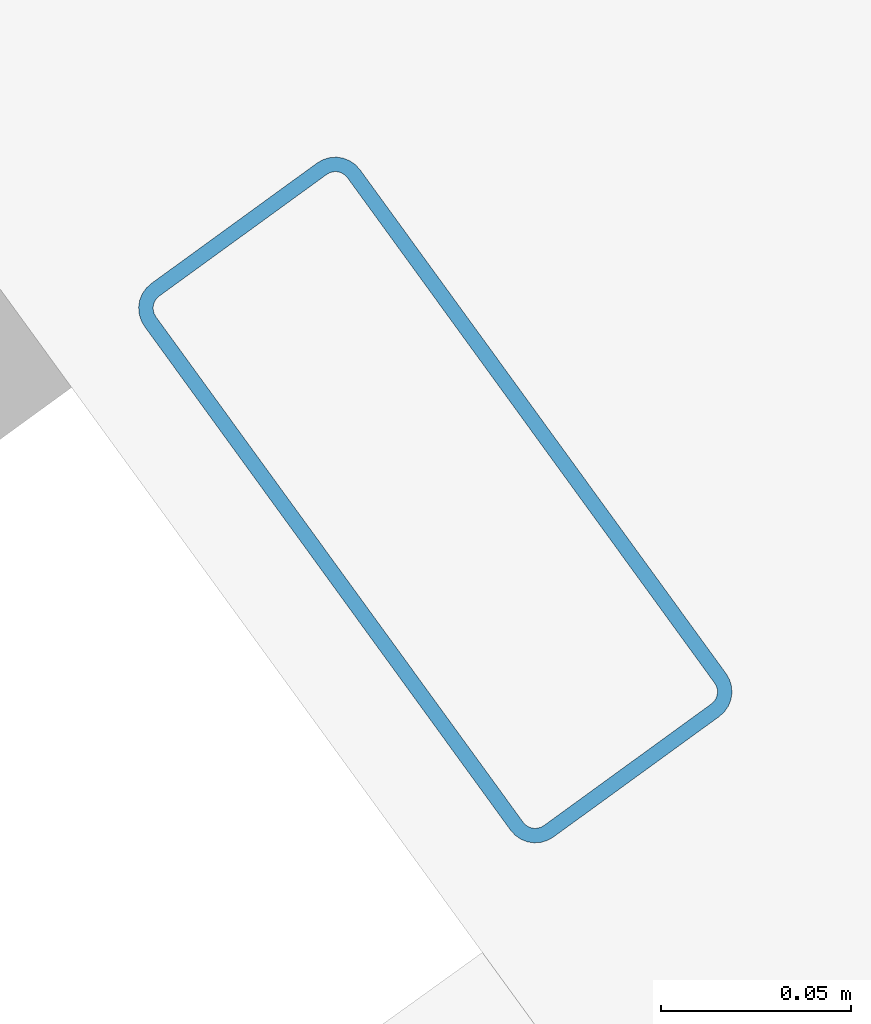
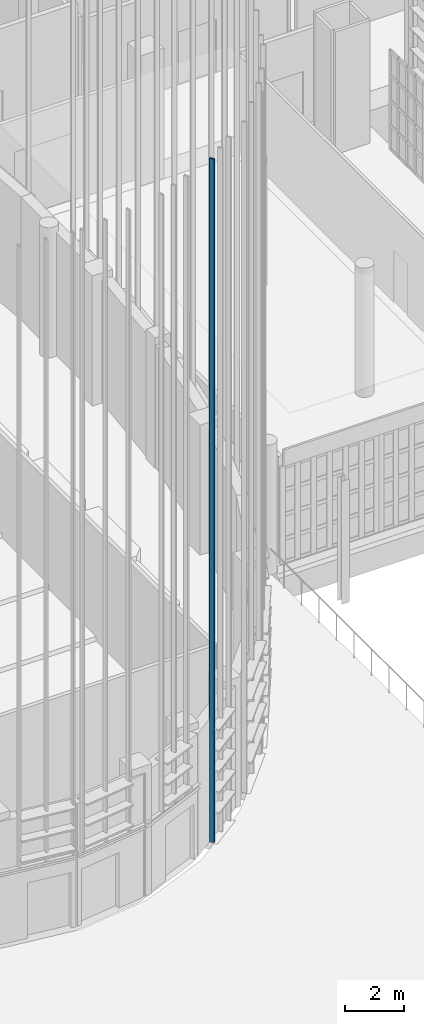
# One storey, part 51 of 372: 1 member.
"""IFC4 building model written with IfcOpenShell, lengths in metres."""

from ifc_helpers import new_model, si_unit, direction, frame, origin, origin_2d, place, context, subcontext, project, spatial, hollow_rectangle, extrude, material, material_profile, profile_set, type_object, element, save


model = new_model("IFC4")

# Units and contexts
model_context = context("Model", 3, precision=1e-05, world=origin(), true_north=direction((0.0, 1.0)))
body_context = subcontext(model_context, "Body", "Model", "MODEL_VIEW")
ifc_project = project(units=[si_unit("LENGTHUNIT", "METRE"), si_unit("AREAUNIT", "SQUARE_METRE"), si_unit("VOLUMEUNIT", "CUBIC_METRE"), si_unit("PLANEANGLEUNIT", "RADIAN"), si_unit("MASSUNIT", "GRAM", prefix="KILO")], contexts=[model_context])

# Site, building, storey
site_placement = place(None, origin())
site = spatial("IfcSite", under=ifc_project, at=site_placement, CompositionType="ELEMENT")
building_placement = place(site_placement, origin())
building = spatial("IfcBuilding", under=site, at=building_placement, Name="Kaelora Sail Theatre", CompositionType="ELEMENT")
storey_placement = place(building_placement, origin())
storey = spatial("IfcBuildingStorey", under=building, at=storey_placement, Name="L00", CompositionType="ELEMENT", Elevation=0.0)

# Member
ifc_material = material(Name="Anodised aluminium 6063-T6", Category="aluminium")
ifc_material_profile = material_profile(ifc_material, hollow_rectangle(XDim=0.070068359375, YDim=0.179931640625, WallThickness=0.00390625, InnerFilletRadius=0.00390625, OuterFilletRadius=0.008056640625, at=origin_2d()), Name="ALU-MULL 70x180x4")
ifc_profile_set = profile_set([ifc_material_profile], Name="Anodised aluminium 6063-T6")
member_type = type_object("IfcMemberType", Name="ARC-MEM-PST-160", PredefinedType="POST", material=ifc_profile_set)
member_placement = place(storey_placement, frame((48.499267578125, 25.6796875, 0.0), z_axis=(0.0, 0.0, 1.0), x_axis=(-0.809016994375, -0.587785252292, 0.0)))
element("IfcMember", 1, at=member_placement, inside=storey, type_object=member_type, Name="Main Theatre Sail Drum solar louvre vertical support post C9-3", PredefinedType="POST", context=body_context, shape_type="SweptSolid", body=[
    extrude(hollow_rectangle(XDim=0.070068359375, YDim=0.179931640625, WallThickness=0.00390625, InnerFilletRadius=0.00390625, OuterFilletRadius=0.008056640625, at=origin_2d()), origin(), (0.0, 0.0, 1.0), 28.375),
])

save(model, "model.ifc")
